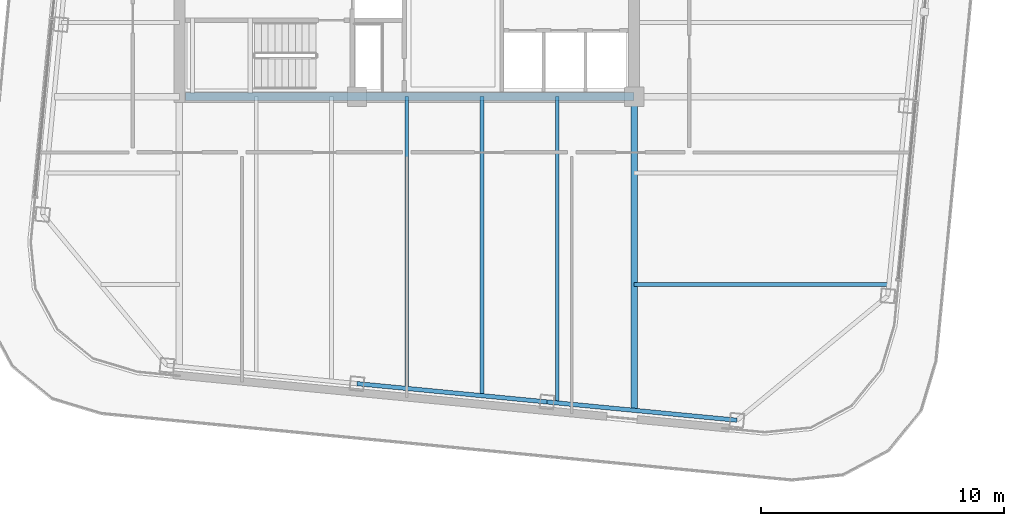
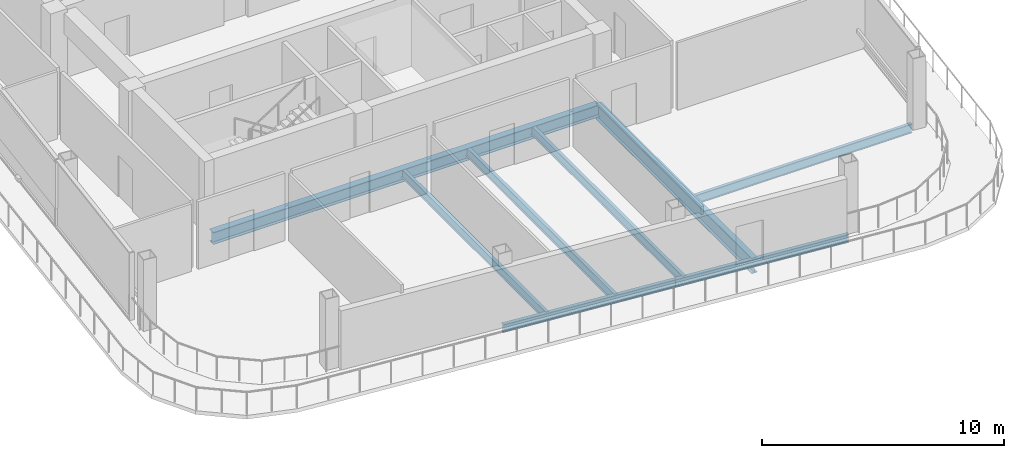
# One storey, part 3 of 23: 8 beams.
"""IFC4 building model written with IfcOpenShell, lengths in metres."""

from ifc_helpers import new_model, si_unit, direction, frame, origin, origin_2d, place, context, subcontext, project, spatial, i_section, extrude, material, material_profile, profile_set, type_object, element, save


model = new_model("IFC4")

# Units and contexts
model_context = context("Model", 3, precision=1e-05, world=origin(), true_north=direction((0.0, 1.0)))
body_context = subcontext(model_context, "Body", "Model", "MODEL_VIEW")
ifc_project = project(units=[si_unit("LENGTHUNIT", "METRE"), si_unit("AREAUNIT", "SQUARE_METRE"), si_unit("VOLUMEUNIT", "CUBIC_METRE"), si_unit("PLANEANGLEUNIT", "RADIAN"), si_unit("MASSUNIT", "GRAM", prefix="KILO")], contexts=[model_context])

# Site, building, storey
site_placement = place(None, origin())
site = spatial("IfcSite", under=ifc_project, at=site_placement, CompositionType="ELEMENT")
building_placement = place(site_placement, origin())
building = spatial("IfcBuilding", under=site, at=building_placement, Name="Qhalaya Broadcast Tower", CompositionType="ELEMENT")
storey_placement = place(building_placement, frame((0.0, 0.0, 276.949951171875)))
storey = spatial("IfcBuildingStorey", under=building, at=storey_placement, Name="L82", CompositionType="ELEMENT", Elevation=276.949951171875)

# Beams
ifc_material = material(Name="Structural Steel ASTM A992 Grade 50", Category="steel")
ifc_material_profile_1 = material_profile(ifc_material, i_section(OverallWidth=0.154052734375, OverallDepth=0.458984375, WebThickness=0.009033203125, FlangeThickness=0.015380859375, at=origin_2d()), Name="W18X46")
ifc_profile_set_1 = profile_set([ifc_material_profile_1], Name="Structural Steel ASTM A992 Grade 50")
beam_type_1 = type_object("IfcBeamType", Name="Composite Floor Joist J04", PredefinedType="JOIST", material=ifc_profile_set_1)
beam_1_placement = place(storey_placement, frame((0.0, -20.760009765625, -0.41943359375), z_axis=(0.0, 1.0, 0.0), x_axis=(-1.0, 0.0, 0.0)))
element("IfcBeam", 1, at=beam_1_placement, inside=storey, type_object=beam_type_1, Name="L82 J04 L82-JNS3-1", PredefinedType="JOIST", context=body_context, shape_type="SweptSolid", body=[
    extrude(i_section(OverallWidth=0.154052734375, OverallDepth=0.458984375, WebThickness=0.009033203125, FlangeThickness=0.015380859375, at=origin_2d()), origin(), (0.0, 0.0, 1.0), 12.010009765625),
])
beam_2_placement = place(storey_placement, frame((3.10009765625, -21.058349609375, -0.41943359375), z_axis=(0.0, 1.0, 0.0), x_axis=(-1.0, 0.0, 0.0)))
element("IfcBeam", 2, at=beam_2_placement, inside=storey, type_object=beam_type_1, Name="L82 J04 L82-JNS4-1", PredefinedType="JOIST", context=body_context, shape_type="SweptSolid", body=[
    extrude(i_section(OverallWidth=0.154052734375, OverallDepth=0.458984375, WebThickness=0.009033203125, FlangeThickness=0.015380859375, at=origin_2d()), origin(), (0.0, 0.0, 1.0), 12.308349609375),
])
beam_3_placement = place(storey_placement, frame((6.199951171875, -21.35693359375, -0.41943359375), z_axis=(0.0, 1.0, 0.0), x_axis=(-1.0, 0.0, 0.0)))
element("IfcBeam", 3, at=beam_3_placement, inside=storey, type_object=beam_type_1, Name="L82 J04 L82-JNS5-1", PredefinedType="JOIST", context=body_context, shape_type="SweptSolid", body=[
    extrude(i_section(OverallWidth=0.154052734375, OverallDepth=0.458984375, WebThickness=0.009033203125, FlangeThickness=0.015380859375, at=origin_2d()), origin(), (0.0, 0.0, 1.0), 12.60693359375),
])
beam_4_placement = place(storey_placement, frame((9.375, -16.5, -0.41943359375), z_axis=(1.0, 0.0, 0.0), x_axis=(0.0, 1.0, 0.0)))
element("IfcBeam", 4, at=beam_4_placement, inside=storey, type_object=beam_type_1, Name="L82 J04 L82-JWE1E-1", PredefinedType="JOIST", context=body_context, shape_type="SweptSolid", body=[
    extrude(i_section(OverallWidth=0.154052734375, OverallDepth=0.458984375, WebThickness=0.009033203125, FlangeThickness=0.015380859375, at=origin_2d()), origin(), (0.0, 0.0, 1.0), 10.47802734375),
])
ifc_material_profile_2 = material_profile(ifc_material, i_section(OverallWidth=0.323974609375, OverallDepth=0.612060546875, WebThickness=0.0126953125, FlangeThickness=0.01904296875, at=origin_2d()), Name="W24X104")
ifc_profile_set_2 = profile_set([ifc_material_profile_2], Name="Structural Steel ASTM A992 Grade 50")
beam_type_2 = type_object("IfcBeamType", Name="Core Frame Tie Beam B04", PredefinedType="BEAM", material=ifc_profile_set_2)
beam_5_placement = place(storey_placement, frame((-9.1201171875, -8.75, -0.495849609375), z_axis=(1.0, 0.0, 0.0), x_axis=(0.0, 1.0, 0.0)))
element("IfcBeam", 5, at=beam_5_placement, inside=storey, type_object=beam_type_2, Name="L82 B04 L82-CCS3", PredefinedType="BEAM", context=body_context, shape_type="SweptSolid", body=[
    extrude(i_section(OverallWidth=0.323974609375, OverallDepth=0.612060546875, WebThickness=0.0126953125, FlangeThickness=0.01904296875, at=origin_2d()), origin(), (0.0, 0.0, 1.0), 18.4951171875),
])
ifc_material_profile_3 = material_profile(ifc_material, i_section(OverallWidth=0.26708984375, OverallDepth=0.780029296875, WebThickness=0.0166015625, FlangeThickness=0.030029296875, at=origin_2d()), Name="W30X148")
ifc_profile_set_3 = profile_set([ifc_material_profile_3], Name="Structural Steel ASTM A992 Grade 50")
beam_type_3 = type_object("IfcBeamType", Name="Neck & Crown Primary Girder PG5", PredefinedType="USERDEFINED", material=ifc_profile_set_3)
beam_6_placement = place(storey_placement, frame((9.375, -21.66259765625, -0.579833984375), z_axis=(0.0, 1.0, 0.0), x_axis=(-1.0, 0.0, 0.0)))
element("IfcBeam", 6, at=beam_6_placement, inside=storey, type_object=beam_type_3, Name="L82 PG5 L82-PGXS2-1", ObjectType="GIRDER", PredefinedType="USERDEFINED", context=body_context, shape_type="SweptSolid", body=[
    extrude(i_section(OverallWidth=0.26708984375, OverallDepth=0.780029296875, WebThickness=0.0166015625, FlangeThickness=0.030029296875, at=origin_2d()), origin(), (0.0, 0.0, 1.0), 12.91259765625),
])
ifc_material_profile_4 = material_profile(ifc_material, i_section(OverallWidth=0.177978515625, OverallDepth=0.406005859375, WebThickness=0.0078125, FlangeThickness=0.0126953125, at=origin_2d()), Name="W16X40")
ifc_profile_set_4 = profile_set([ifc_material_profile_4], Name="Structural Steel ASTM A992 Grade 50")
beam_type_4 = type_object("IfcBeamType", Name="Upper Perimeter Spandrel Beam SP2", PredefinedType="SPANDREL", material=ifc_profile_set_4)
beam_7_placement = place(storey_placement, frame((-2.052490234375, -20.58251953125, -0.39306640625), z_axis=(0.995397023367, -0.095837184179, 0.0), x_axis=(0.095837184179, 0.995397023367, 0.0)))
element("IfcBeam", 7, at=beam_7_placement, inside=storey, type_object=beam_type_4, Name="L82 SP2 L82-SPR-02", PredefinedType="SPANDREL", context=body_context, shape_type="SweptSolid", body=[
    extrude(i_section(OverallWidth=0.177978515625, OverallDepth=0.406005859375, WebThickness=0.0078125, FlangeThickness=0.0126953125, at=origin_2d()), origin(), (0.0, 0.0, 1.0), 7.866455078125),
])
beam_8_placement = place(storey_placement, frame((5.77783203125, -21.33642578125, -0.39306640625), z_axis=(0.995397308407, -0.095834223619, 0.0), x_axis=(0.095834223619, 0.995397308407, 0.0)))
element("IfcBeam", 8, at=beam_8_placement, inside=storey, type_object=beam_type_4, Name="L82 SP2 L82-SPR-03", PredefinedType="SPANDREL", context=body_context, shape_type="SweptSolid", body=[
    extrude(i_section(OverallWidth=0.177978515625, OverallDepth=0.406005859375, WebThickness=0.0078125, FlangeThickness=0.0126953125, at=origin_2d()), origin(), (0.0, 0.0, 1.0), 7.86669921875),
])

save(model, "model.ifc")
